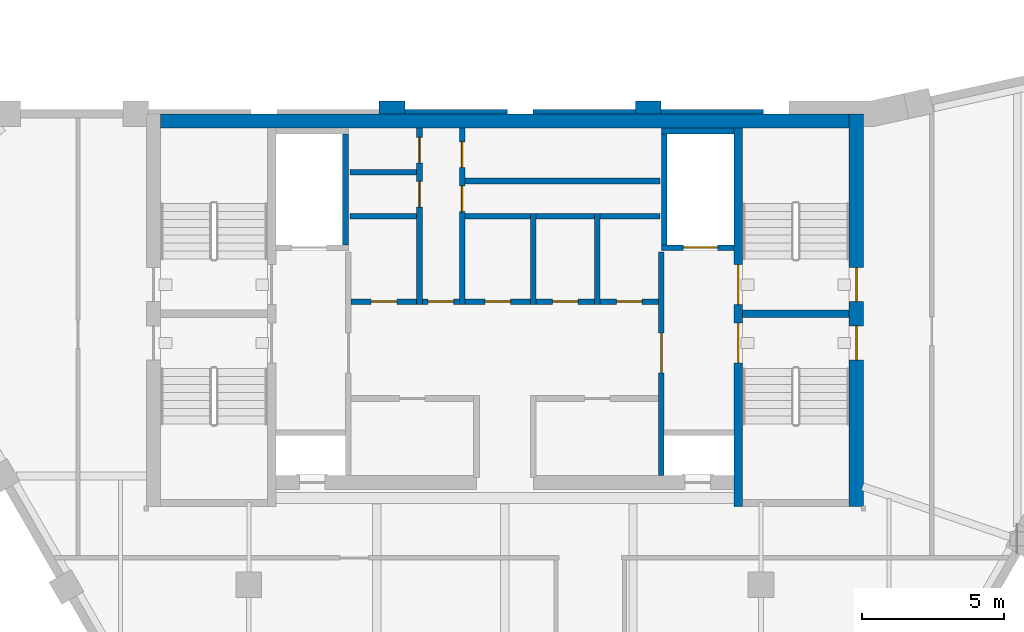
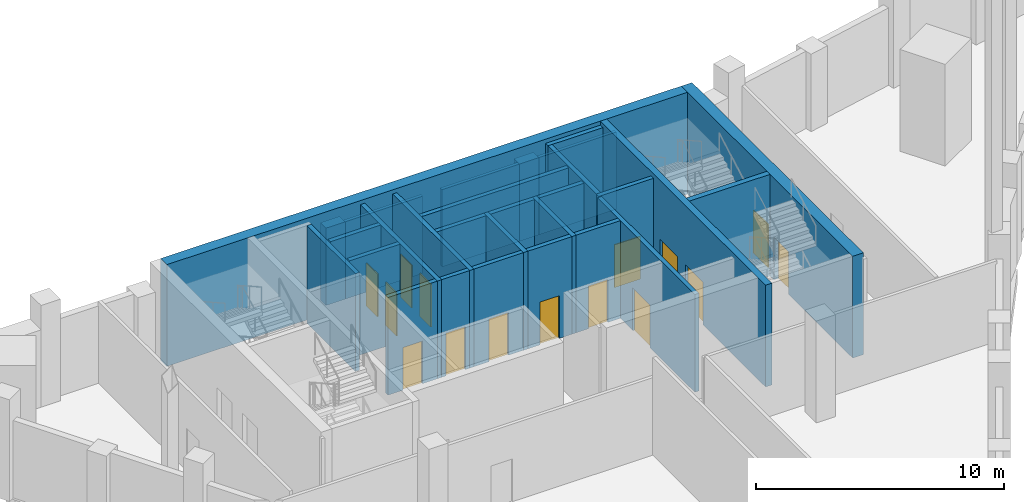
# One storey, part 6 of 11: 29 walls, 15 doors, 15 openings.
"""IFC4 building model written with IfcOpenShell, lengths in metres."""

from ifc_helpers import new_model, si_unit, direction, frame, frame_2d, origin, place, context, subcontext, project, spatial, polyline, rectangle, outline, extrude, material, layer, layer_set, type_object, element, fill, save


model = new_model("IFC4")

# Units and contexts
model_context = context("Model", 3, precision=1e-05, world=origin(), true_north=direction((0.0, 1.0)))
body_context = subcontext(model_context, "Body", "Model", "MODEL_VIEW")
ifc_project = project(units=[si_unit("LENGTHUNIT", "METRE"), si_unit("AREAUNIT", "SQUARE_METRE"), si_unit("VOLUMEUNIT", "CUBIC_METRE"), si_unit("PLANEANGLEUNIT", "RADIAN"), si_unit("MASSUNIT", "GRAM", prefix="KILO")], contexts=[model_context])

# Site, building, storey
site_placement = place(None, origin())
site = spatial("IfcSite", under=ifc_project, at=site_placement, CompositionType="ELEMENT")
building_placement = place(site_placement, origin())
building = spatial("IfcBuilding", under=site, at=building_placement, Name="Calabash Gate Tower", CompositionType="ELEMENT")
storey_placement = place(building_placement, frame((0.0, 0.0, 310.5)))
storey = spatial("IfcBuildingStorey", under=building, at=storey_placement, Name="L73", CompositionType="ELEMENT", Elevation=310.5)

# Walls
ifc_material_1 = material(Name="Terracotta brick masonry, exposed face", Category="masonry")
ifc_layer_1 = layer(ifc_material_1, 0.89990234375)
ifc_layer_set_1 = layer_set([ifc_layer_1], Name="Brick end wall 900")
wall_type_1 = type_object("IfcWallType", Name="Brick end wall 900", PredefinedType="SOLIDWALL", material=ifc_layer_set_1)
wall_1_placement = place(storey_placement, origin())
element("IfcWall", 1, at=wall_1_placement, inside=storey, type_object=wall_type_1, Name="Brick pier L73 crown7.1", PredefinedType="SOLIDWALL", context=body_context, shape_type="SweptSolid", body=[
    extrude(outline(polyline([(4.584228515625, 19.50244140625), (4.584228515625, 19.052490234375), (5.484375, 19.052490234375), (5.484375, 19.50244140625), (4.584228515625, 19.50244140625)])), origin(), (0.0, 0.0, 1.0), 3.800048828125),
])
wall_2_placement = place(storey_placement, origin())
element("IfcWall", 2, at=wall_2_placement, inside=storey, type_object=wall_type_1, Name="Brick pier L73 crown7.3", PredefinedType="SOLIDWALL", context=body_context, shape_type="SweptSolid", body=[
    extrude(outline(polyline([(-4.415771484375, 19.50244140625), (-4.415771484375, 19.052490234375), (-3.515625, 19.052490234375), (-3.515625, 19.50244140625), (-4.415771484375, 19.50244140625)])), origin(), (0.0, 0.0, 1.0), 3.800048828125),
])

# Wall, opening, door
ifc_material_2 = material(Name="Gypsum board on steel studs, mineral wool", Category="steel")
ifc_layer_2 = layer(ifc_material_2, 0.199951171875)
ifc_layer_set_2 = layer_set([ifc_layer_2], Name="Core partition 200 gypsum board")
wall_type_2 = type_object("IfcWallType", Name="Core partition 200 gypsum board", PredefinedType="PARTITIONING", material=ifc_layer_set_2)
wall_3_placement = place(storey_placement, frame((-5.39990234375, 12.45263671875, 0.0), z_axis=(0.0, 0.0, 1.0), x_axis=(1.0, 0.0, 0.0)))
wall_3 = element("IfcWall", 3, at=wall_3_placement, inside=storey, type_object=wall_type_2, Name="Core partition", PredefinedType="PARTITIONING", context=body_context, shape_type="SweptSolid", body=[
    extrude(rectangle(XDim=2.2998046875, YDim=0.199951171875, at=frame_2d((1.14990234375, 0.0))), origin(), (0.0, 0.0, 1.0), 4.800048828125),
])
opening_1_placement = place(wall_3_placement, frame((0.699951171875, 0.0, 0.0)))
opening_1 = element("IfcOpeningElement", 4, at=opening_1_placement, cuts=wall_3, Name="Opening L73-020", PredefinedType="OPENING", context=body_context, shape_type="SweptSolid", body=[
    extrude(rectangle(XDim=0.89990234375, YDim=2.10009765625, at=frame_2d((0.449951171875, 1.050048828125))), frame((0.0, 0.10986328125, 0.0), z_axis=(0.0, -1.0, 0.0), x_axis=(1.0, 0.0, 0.0)), (0.0, 0.0, 1.0), 0.219970703125),
])
ifc_material_3 = material(Name="Steel fire door set with fire-resisting glazing", Category="steel")
door_type_1 = type_object("IfcDoorType", Name="Fire door D06 900x2100 FD60", OperationType="NOTDEFINED", PredefinedType="DOOR", material=ifc_material_3)
door_1_placement = place(opening_1_placement, origin())
door_1 = element("IfcDoor", 5, at=door_1_placement, inside=storey, type_object=door_type_1, Name="Mechanical Fan Room door", OperationType="SINGLE_SWING_RIGHT", OverallHeight=2.10009765625, OverallWidth=0.89990234375, PredefinedType="DOOR", context=body_context, shape_type="SweptSolid", body=[
    extrude(rectangle(XDim=0.89990234375, YDim=2.10009765625, at=frame_2d((0.449951171875, 1.050048828125))), frame((0.0, 0.02490234375, 0.0), z_axis=(0.0, -1.0, 0.0), x_axis=(1.0, 0.0, 0.0)), (0.0, 0.0, 1.0), 0.050048828125),
])
fill(opening_1, door_1)

# Wall, openings, doors
wall_4_placement = place(storey_placement, frame((-3.0, 12.3525390625, 0.0), z_axis=(0.0, 0.0, 1.0), x_axis=(0.0, 1.0, 0.0)))
wall_4 = element("IfcWall", 6, at=wall_4_placement, inside=storey, type_object=wall_type_2, Name="Core partition", PredefinedType="PARTITIONING", context=body_context, shape_type="SweptSolid", body=[
    extrude(rectangle(XDim=6.199951171875, YDim=0.199951171875, at=frame_2d((3.10009765625, 0.0))), origin(), (0.0, 0.0, 1.0), 4.800048828125),
])
opening_2_placement = place(wall_4_placement, frame((3.425048828125, 0.0, 0.0)))
opening_2 = element("IfcOpeningElement", 7, at=opening_2_placement, cuts=wall_4, Name="Opening L73-012", PredefinedType="OPENING", context=body_context, shape_type="SweptSolid", body=[
    extrude(rectangle(XDim=0.89990234375, YDim=2.10009765625, at=frame_2d((0.449951171875, 1.050048828125))), frame((0.0, 0.10986328125, 0.0), z_axis=(0.0, -1.0, 0.0), x_axis=(1.0, 0.0, 0.0)), (0.0, 0.0, 1.0), 0.219970703125),
])
opening_3_placement = place(wall_4_placement, frame((4.97509765625, 0.0, 0.0)))
opening_3 = element("IfcOpeningElement", 8, at=opening_3_placement, cuts=wall_4, Name="Opening L73-013", PredefinedType="OPENING", context=body_context, shape_type="SweptSolid", body=[
    extrude(rectangle(XDim=0.89990234375, YDim=2.10009765625, at=frame_2d((0.449951171875, 1.050048828125))), frame((0.0, 0.10986328125, 0.0), z_axis=(0.0, -1.0, 0.0), x_axis=(1.0, 0.0, 0.0)), (0.0, 0.0, 1.0), 0.219970703125),
])
door_2_placement = place(opening_2_placement, origin())
door_2 = element("IfcDoor", 9, at=door_2_placement, inside=storey, type_object=door_type_1, Name="Plant UPS Room door", OperationType="SINGLE_SWING_LEFT", OverallHeight=2.10009765625, OverallWidth=0.89990234375, PredefinedType="DOOR", context=body_context, shape_type="SweptSolid", body=[
    extrude(rectangle(XDim=0.89990234375, YDim=2.10009765625, at=frame_2d((0.449951171875, 1.050048828125))), frame((0.0, 0.02490234375, 0.0), z_axis=(0.0, -1.0, 0.0), x_axis=(1.0, 0.0, 0.0)), (0.0, 0.0, 1.0), 0.050048828125),
])
fill(opening_2, door_2)
door_3_placement = place(opening_3_placement, origin())
door_3 = element("IfcDoor", 10, at=door_3_placement, inside=storey, type_object=door_type_1, Name="Water Tank Room door", OperationType="SINGLE_SWING_LEFT", OverallHeight=2.10009765625, OverallWidth=0.89990234375, PredefinedType="DOOR", context=body_context, shape_type="SweptSolid", body=[
    extrude(rectangle(XDim=0.89990234375, YDim=2.10009765625, at=frame_2d((0.449951171875, 1.050048828125))), frame((0.0, 0.02490234375, 0.0), z_axis=(0.0, -1.0, 0.0), x_axis=(1.0, 0.0, 0.0)), (0.0, 0.0, 1.0), 0.050048828125),
])
fill(opening_3, door_3)

# Wall, opening, door
wall_5_placement = place(storey_placement, frame((-2.89990234375, 12.45263671875, 0.0), z_axis=(0.0, 0.0, 1.0), x_axis=(1.0, 0.0, 0.0)))
wall_5 = element("IfcWall", 11, at=wall_5_placement, inside=storey, type_object=wall_type_2, Name="Core partition", PredefinedType="PARTITIONING", context=body_context, shape_type="SweptSolid", body=[
    extrude(rectangle(XDim=1.2998046875, YDim=0.199951171875, at=frame_2d((0.64990234375, 0.0))), origin(), (0.0, 0.0, 1.0), 4.800048828125),
])
opening_4_placement = place(wall_5_placement, frame((0.199951171875, 0.0, 0.0)))
opening_4 = element("IfcOpeningElement", 12, at=opening_4_placement, cuts=wall_5, Name="Opening L73-009", PredefinedType="OPENING", context=body_context, shape_type="SweptSolid", body=[
    extrude(rectangle(XDim=0.89990234375, YDim=2.10009765625, at=frame_2d((0.449951171875, 1.050048828125))), frame((0.0, 0.10986328125, 0.0), z_axis=(0.0, -1.0, 0.0), x_axis=(1.0, 0.0, 0.0)), (0.0, 0.0, 1.0), 0.219970703125),
])
door_4_placement = place(opening_4_placement, origin())
door_4 = element("IfcDoor", 13, at=door_4_placement, inside=storey, type_object=door_type_1, Name="Service Corridor door", OperationType="SINGLE_SWING_RIGHT", OverallHeight=2.10009765625, OverallWidth=0.89990234375, PredefinedType="DOOR", context=body_context, shape_type="SweptSolid", body=[
    extrude(rectangle(XDim=0.89990234375, YDim=2.10009765625, at=frame_2d((0.449951171875, 1.050048828125))), frame((0.0, 0.02490234375, 0.0), z_axis=(0.0, -1.0, 0.0), x_axis=(1.0, 0.0, 0.0)), (0.0, 0.0, 1.0), 0.050048828125),
])
fill(opening_4, door_4)

# Wall, openings, doors
wall_6_placement = place(storey_placement, frame((-1.5, 12.3525390625, 0.0), z_axis=(0.0, 0.0, 1.0), x_axis=(0.0, 1.0, 0.0)))
wall_6 = element("IfcWall", 14, at=wall_6_placement, inside=storey, type_object=wall_type_2, Name="Core partition", PredefinedType="PARTITIONING", context=body_context, shape_type="SweptSolid", body=[
    extrude(rectangle(XDim=6.199951171875, YDim=0.199951171875, at=frame_2d((3.10009765625, 0.0))), origin(), (0.0, 0.0, 1.0), 4.800048828125),
])
opening_5_placement = place(wall_6_placement, frame((3.27001953125, 0.0, 0.0)))
opening_5 = element("IfcOpeningElement", 15, at=opening_5_placement, cuts=wall_6, Name="Opening L73-014", PredefinedType="OPENING", context=body_context, shape_type="SweptSolid", body=[
    extrude(rectangle(XDim=0.89990234375, YDim=2.10009765625, at=frame_2d((0.449951171875, 1.050048828125))), frame((0.0, 0.10986328125, 0.0), z_axis=(0.0, -1.0, 0.0), x_axis=(1.0, 0.0, 0.0)), (0.0, 0.0, 1.0), 0.219970703125),
])
opening_6_placement = place(wall_6_placement, frame((4.820068359375, 0.0, 0.0)))
opening_6 = element("IfcOpeningElement", 16, at=opening_6_placement, cuts=wall_6, Name="Opening L73-015", PredefinedType="OPENING", context=body_context, shape_type="SweptSolid", body=[
    extrude(rectangle(XDim=0.89990234375, YDim=2.10009765625, at=frame_2d((0.449951171875, 1.050048828125))), frame((0.0, 0.10986328125, 0.0), z_axis=(0.0, -1.0, 0.0), x_axis=(1.0, 0.0, 0.0)), (0.0, 0.0, 1.0), 0.219970703125),
])
door_5_placement = place(opening_5_placement, origin())
door_5 = element("IfcDoor", 17, at=door_5_placement, inside=storey, type_object=door_type_1, Name="Electrical Switch Room door", OperationType="SINGLE_SWING_LEFT", OverallHeight=2.10009765625, OverallWidth=0.89990234375, PredefinedType="DOOR", context=body_context, shape_type="SweptSolid", body=[
    extrude(rectangle(XDim=0.89990234375, YDim=2.10009765625, at=frame_2d((0.449951171875, 1.050048828125))), frame((0.0, 0.02490234375, 0.0), z_axis=(0.0, -1.0, 0.0), x_axis=(1.0, 0.0, 0.0)), (0.0, 0.0, 1.0), 0.050048828125),
])
fill(opening_5, door_5)
door_6_placement = place(opening_6_placement, origin())
door_6 = element("IfcDoor", 18, at=door_6_placement, inside=storey, type_object=door_type_1, Name="HV Transformer Room door", OperationType="SINGLE_SWING_LEFT", OverallHeight=2.10009765625, OverallWidth=0.89990234375, PredefinedType="DOOR", context=body_context, shape_type="SweptSolid", body=[
    extrude(rectangle(XDim=0.89990234375, YDim=2.10009765625, at=frame_2d((0.449951171875, 1.050048828125))), frame((0.0, 0.02490234375, 0.0), z_axis=(0.0, -1.0, 0.0), x_axis=(1.0, 0.0, 0.0)), (0.0, 0.0, 1.0), 0.050048828125),
])
fill(opening_6, door_6)

# Wall, opening, door
wall_7_placement = place(storey_placement, frame((-1.39990234375, 12.45263671875, 0.0), z_axis=(0.0, 0.0, 1.0), x_axis=(1.0, 0.0, 0.0)))
wall_7 = element("IfcWall", 19, at=wall_7_placement, inside=storey, type_object=wall_type_2, Name="Core partition", PredefinedType="PARTITIONING", context=body_context, shape_type="SweptSolid", body=[
    extrude(rectangle(XDim=2.2998046875, YDim=0.199951171875, at=frame_2d((1.14990234375, 0.0))), origin(), (0.0, 0.0, 1.0), 4.800048828125),
])
opening_7_placement = place(wall_7_placement, frame((0.699951171875, 0.0, 0.0)))
opening_7 = element("IfcOpeningElement", 20, at=opening_7_placement, cuts=wall_7, Name="Opening L73-021", PredefinedType="OPENING", context=body_context, shape_type="SweptSolid", body=[
    extrude(rectangle(XDim=0.89990234375, YDim=2.10009765625, at=frame_2d((0.449951171875, 1.050048828125))), frame((0.0, 0.10986328125, 0.0), z_axis=(0.0, -1.0, 0.0), x_axis=(1.0, 0.0, 0.0)), (0.0, 0.0, 1.0), 0.219970703125),
])
door_7_placement = place(opening_7_placement, origin())
door_7 = element("IfcDoor", 21, at=door_7_placement, inside=storey, type_object=door_type_1, Name="Plant BMS Room door", OperationType="SINGLE_SWING_RIGHT", OverallHeight=2.10009765625, OverallWidth=0.89990234375, PredefinedType="DOOR", context=body_context, shape_type="SweptSolid", body=[
    extrude(rectangle(XDim=0.89990234375, YDim=2.10009765625, at=frame_2d((0.449951171875, 1.050048828125))), frame((0.0, 0.02490234375, 0.0), z_axis=(0.0, -1.0, 0.0), x_axis=(1.0, 0.0, 0.0)), (0.0, 0.0, 1.0), 0.050048828125),
])
fill(opening_7, door_7)

# Wall
wall_8_placement = place(storey_placement, frame((1.0, 12.3525390625, 0.0), z_axis=(0.0, 0.0, 1.0), x_axis=(0.0, 1.0, 0.0)))
element("IfcWall", 22, at=wall_8_placement, inside=storey, type_object=wall_type_2, Name="Core partition", PredefinedType="PARTITIONING", context=body_context, shape_type="SweptSolid", body=[
    extrude(rectangle(XDim=3.199951171875, YDim=0.199951171875, at=frame_2d((1.60009765625, 0.0))), origin(), (0.0, 0.0, 1.0), 4.800048828125),
])

# Wall, opening, door
wall_9_placement = place(storey_placement, frame((1.10009765625, 12.45263671875, 0.0), z_axis=(0.0, 0.0, 1.0), x_axis=(1.0, 0.0, 0.0)))
wall_9 = element("IfcWall", 23, at=wall_9_placement, inside=storey, type_object=wall_type_2, Name="Core partition", PredefinedType="PARTITIONING", context=body_context, shape_type="SweptSolid", body=[
    extrude(rectangle(XDim=2.0498046875, YDim=0.199951171875, at=frame_2d((1.02490234375, 0.0))), origin(), (0.0, 0.0, 1.0), 4.800048828125),
])
opening_8_placement = place(wall_9_placement, frame((0.574951171875, 0.0, 0.0)))
opening_8 = element("IfcOpeningElement", 24, at=opening_8_placement, cuts=wall_9, Name="Opening L73-018", PredefinedType="OPENING", context=body_context, shape_type="SweptSolid", body=[
    extrude(rectangle(XDim=0.89990234375, YDim=2.10009765625, at=frame_2d((0.449951171875, 1.050048828125))), frame((0.0, 0.10986328125, 0.0), z_axis=(0.0, -1.0, 0.0), x_axis=(1.0, 0.0, 0.0)), (0.0, 0.0, 1.0), 0.219970703125),
])
door_8_placement = place(opening_8_placement, origin())
door_8 = element("IfcDoor", 25, at=door_8_placement, inside=storey, type_object=door_type_1, Name="Plant Control Room door", OperationType="SINGLE_SWING_RIGHT", OverallHeight=2.10009765625, OverallWidth=0.89990234375, PredefinedType="DOOR", context=body_context, shape_type="SweptSolid", body=[
    extrude(rectangle(XDim=0.89990234375, YDim=2.10009765625, at=frame_2d((0.449951171875, 1.050048828125))), frame((0.0, 0.02490234375, 0.0), z_axis=(0.0, -1.0, 0.0), x_axis=(1.0, 0.0, 0.0)), (0.0, 0.0, 1.0), 0.050048828125),
])
fill(opening_8, door_8)

# Wall
wall_10_placement = place(storey_placement, frame((3.25, 12.3525390625, 0.0), z_axis=(0.0, 0.0, 1.0), x_axis=(0.0, 1.0, 0.0)))
element("IfcWall", 26, at=wall_10_placement, inside=storey, type_object=wall_type_2, Name="Core partition", PredefinedType="PARTITIONING", context=body_context, shape_type="SweptSolid", body=[
    extrude(rectangle(XDim=3.199951171875, YDim=0.199951171875, at=frame_2d((1.60009765625, 0.0))), origin(), (0.0, 0.0, 1.0), 4.800048828125),
])

# Wall, opening, door
wall_11_placement = place(storey_placement, frame((3.35009765625, 12.45263671875, 0.0), z_axis=(0.0, 0.0, 1.0), x_axis=(1.0, 0.0, 0.0)))
wall_11 = element("IfcWall", 27, at=wall_11_placement, inside=storey, type_object=wall_type_2, Name="Core partition", PredefinedType="PARTITIONING", context=body_context, shape_type="SweptSolid", body=[
    extrude(rectangle(XDim=2.0498046875, YDim=0.199951171875, at=frame_2d((1.02490234375, 0.0))), origin(), (0.0, 0.0, 1.0), 4.800048828125),
])
opening_9_placement = place(wall_11_placement, frame((0.574951171875, 0.0, 0.0)))
opening_9 = element("IfcOpeningElement", 28, at=opening_9_placement, cuts=wall_11, Name="Opening L73-019", PredefinedType="OPENING", context=body_context, shape_type="SweptSolid", body=[
    extrude(rectangle(XDim=0.89990234375, YDim=2.10009765625, at=frame_2d((0.449951171875, 1.050048828125))), frame((0.0, 0.10986328125, 0.0), z_axis=(0.0, -1.0, 0.0), x_axis=(1.0, 0.0, 0.0)), (0.0, 0.0, 1.0), 0.219970703125),
])
door_9_placement = place(opening_9_placement, origin())
door_9 = element("IfcDoor", 29, at=door_9_placement, inside=storey, type_object=door_type_1, Name="Plant Spares Store door", OperationType="SINGLE_SWING_LEFT", OverallHeight=2.10009765625, OverallWidth=0.89990234375, PredefinedType="DOOR", context=body_context, shape_type="SweptSolid", body=[
    extrude(rectangle(XDim=0.89990234375, YDim=2.10009765625, at=frame_2d((0.449951171875, 1.050048828125))), frame((0.0, 0.02490234375, 0.0), z_axis=(0.0, -1.0, 0.0), x_axis=(1.0, 0.0, 0.0)), (0.0, 0.0, 1.0), 0.050048828125),
])
fill(opening_9, door_9)

# Walls
wall_12_placement = place(storey_placement, frame((-1.39990234375, 15.45263671875, 0.0), z_axis=(0.0, 0.0, 1.0), x_axis=(1.0, 0.0, 0.0)))
element("IfcWall", 30, at=wall_12_placement, inside=storey, type_object=wall_type_2, Name="Core partition", PredefinedType="PARTITIONING", context=body_context, shape_type="SweptSolid", body=[
    extrude(rectangle(XDim=2.2998046875, YDim=0.199951171875, at=frame_2d((1.14990234375, 0.0))), origin(), (0.0, 0.0, 1.0), 4.800048828125),
])
wall_13_placement = place(storey_placement, frame((1.10009765625, 15.45263671875, 0.0), z_axis=(0.0, 0.0, 1.0), x_axis=(1.0, 0.0, 0.0)))
element("IfcWall", 31, at=wall_13_placement, inside=storey, type_object=wall_type_2, Name="Core partition", PredefinedType="PARTITIONING", context=body_context, shape_type="SweptSolid", body=[
    extrude(rectangle(XDim=2.0498046875, YDim=0.199951171875, at=frame_2d((1.02490234375, 0.0))), origin(), (0.0, 0.0, 1.0), 4.800048828125),
])
ifc_material_4 = material(Name="Concrete C60/75", Category="concrete")
ifc_layer_3 = layer(ifc_material_4, 0.25)
ifc_layer_set_3 = layer_set([ifc_layer_3], Name="Core wall 250 Concrete C60/75")
wall_type_3 = type_object("IfcWallType", Name="Core wall 250 Concrete C60/75", PredefinedType="SHEAR", material=ifc_layer_set_3)
wall_14_placement = place(storey_placement, frame((8.35009765625, 12.027587890625, 0.0), z_axis=(0.0, 0.0, 1.0), x_axis=(1.0, 0.0, 0.0)))
element("IfcWall", 32, at=wall_14_placement, inside=storey, type_object=wall_type_3, Name="Core wall C-MIDE L73", PredefinedType="SHEAR", context=body_context, shape_type="SweptSolid", body=[
    extrude(rectangle(XDim=3.75, YDim=0.25, at=frame_2d((1.875, 0.0))), origin(), (0.0, 0.0, 1.0), 5.0),
])

# Wall, openings, doors
ifc_material_5 = material(Name="Concrete C60/75", Category="concrete")
ifc_layer_4 = layer(ifc_material_5, 0.300048828125)
ifc_layer_set_4 = layer_set([ifc_layer_4], Name="Core wall 300 Concrete C60/75")
wall_type_4 = type_object("IfcWallType", Name="Core wall 300 Concrete C60/75", PredefinedType="SHEAR", material=ifc_layer_set_4)
wall_15_placement = place(storey_placement, frame((8.199951171875, 5.252685546875, 0.0), z_axis=(0.0, 0.0, 1.0), x_axis=(0.0, 1.0, 0.0)))
wall_15 = element("IfcWall", 33, at=wall_15_placement, inside=storey, type_object=wall_type_4, Name="Core wall C-PARTE L73", PredefinedType="SHEAR", context=body_context, shape_type="SweptSolid", body=[
    extrude(rectangle(XDim=13.2998046875, YDim=0.300048828125, at=frame_2d((6.64990234375, 0.0))), origin(), (0.0, 0.0, 1.0), 5.0),
])
opening_10_placement = place(wall_15_placement, frame((7.10009765625, 0.0, 0.0)))
opening_10 = element("IfcOpeningElement", 34, at=opening_10_placement, cuts=wall_15, Name="Opening L73-003", PredefinedType="OPENING", context=body_context, shape_type="SweptSolid", body=[
    extrude(rectangle(XDim=1.39990234375, YDim=2.10009765625, at=frame_2d((0.699951171875, 1.050048828125))), frame((0.0, 0.159912109375, 0.0), z_axis=(0.0, -1.0, 0.0), x_axis=(1.0, 0.0, 0.0)), (0.0, 0.0, 1.0), 0.320068359375),
])
opening_11_placement = place(wall_15_placement, frame((5.050048828125, 0.0, 0.0)))
opening_11 = element("IfcOpeningElement", 35, at=opening_11_placement, cuts=wall_15, Name="Opening L73-004", PredefinedType="OPENING", context=body_context, shape_type="SweptSolid", body=[
    extrude(rectangle(XDim=1.39990234375, YDim=2.10009765625, at=frame_2d((0.699951171875, 1.050048828125))), frame((0.0, 0.159912109375, 0.0), z_axis=(0.0, -1.0, 0.0), x_axis=(1.0, 0.0, 0.0)), (0.0, 0.0, 1.0), 0.320068359375),
])
ifc_material_6 = material(Name="Steel fire door set with fire-resisting glazing", Category="steel")
door_type_2 = type_object("IfcDoorType", Name="Fire door D05 1400x2100 FD90", OperationType="NOTDEFINED", PredefinedType="DOOR", material=ifc_material_6)
door_10_placement = place(opening_10_placement, origin())
door_10 = element("IfcDoor", 36, at=door_10_placement, inside=storey, type_object=door_type_2, Name="Exit stair door ST3", OperationType="SINGLE_SWING_RIGHT", OverallHeight=2.10009765625, OverallWidth=1.39990234375, PredefinedType="DOOR", context=body_context, shape_type="SweptSolid", body=[
    extrude(rectangle(XDim=1.39990234375, YDim=2.10009765625, at=frame_2d((0.699951171875, 1.050048828125))), frame((0.0, 0.02490234375, 0.0), z_axis=(0.0, -1.0, 0.0), x_axis=(1.0, 0.0, 0.0)), (0.0, 0.0, 1.0), 0.050048828125),
])
fill(opening_10, door_10)
door_11_placement = place(opening_11_placement, origin())
door_11 = element("IfcDoor", 37, at=door_11_placement, inside=storey, type_object=door_type_2, Name="Exit stair door ST4", OperationType="SINGLE_SWING_LEFT", OverallHeight=2.10009765625, OverallWidth=1.39990234375, PredefinedType="DOOR", context=body_context, shape_type="SweptSolid", body=[
    extrude(rectangle(XDim=1.39990234375, YDim=2.10009765625, at=frame_2d((0.699951171875, 1.050048828125))), frame((0.0, 0.02490234375, 0.0), z_axis=(0.0, -1.0, 0.0), x_axis=(1.0, 0.0, 0.0)), (0.0, 0.0, 1.0), 0.050048828125),
])
fill(opening_11, door_11)

# Wall
ifc_material_7 = material(Name="Concrete C60/75", Category="concrete")
ifc_layer_5 = layer(ifc_material_7, 0.5)
ifc_layer_set_5 = layer_set([ifc_layer_5], Name="Core wall 500 Concrete C60/75")
wall_type_5 = type_object("IfcWallType", Name="Core wall 500 Concrete C60/75", PredefinedType="SHEAR", material=ifc_layer_set_5)
wall_16_placement = place(storey_placement, frame((-12.10009765625, 18.802490234375, 0.0), z_axis=(0.0, 0.0, 1.0), x_axis=(1.0, 0.0, 0.0)))
element("IfcWall", 38, at=wall_16_placement, inside=storey, type_object=wall_type_5, Name="Core wall C-N L73", PredefinedType="SHEAR", context=body_context, shape_type="SweptSolid", body=[
    extrude(rectangle(XDim=24.2001953125, YDim=0.5, at=frame_2d((12.10009765625, 0.0))), origin(), (0.0, 0.0, 1.0), 5.0),
])

# Wall, openings, doors
wall_17_placement = place(storey_placement, frame((12.35009765625, 5.252685546875, 0.0), z_axis=(0.0, 0.0, 1.0), x_axis=(0.0, 1.0, 0.0)))
wall_17 = element("IfcWall", 39, at=wall_17_placement, inside=storey, type_object=wall_type_5, Name="Core wall C-COLE L73", PredefinedType="SHEAR", context=body_context, shape_type="SweptSolid", body=[
    extrude(rectangle(XDim=13.7998046875, YDim=0.5, at=frame_2d((6.89990234375, 0.0))), origin(), (0.0, 0.0, 1.0), 5.0),
])
opening_12_placement = place(wall_17_placement, frame((7.199951171875, 0.0, 0.0)))
opening_12 = element("IfcOpeningElement", 40, at=opening_12_placement, cuts=wall_17, Name="Opening L73-007", PredefinedType="OPENING", context=body_context, shape_type="SweptSolid", body=[
    extrude(rectangle(XDim=1.199951171875, YDim=2.10009765625, at=frame_2d((0.60009765625, 1.050048828125))), frame((0.0, 0.260009765625, 0.0), z_axis=(0.0, -1.0, 0.0), x_axis=(1.0, 0.0, 0.0)), (0.0, 0.0, 1.0), 0.52001953125),
])
opening_13_placement = place(wall_17_placement, frame((5.14990234375, 0.0, 0.0)))
opening_13 = element("IfcOpeningElement", 41, at=opening_13_placement, cuts=wall_17, Name="Opening L73-008", PredefinedType="OPENING", context=body_context, shape_type="SweptSolid", body=[
    extrude(rectangle(XDim=1.199951171875, YDim=2.10009765625, at=frame_2d((0.60009765625, 1.050048828125))), frame((0.0, 0.260009765625, 0.0), z_axis=(0.0, -1.0, 0.0), x_axis=(1.0, 0.0, 0.0)), (0.0, 0.0, 1.0), 0.52001953125),
])
ifc_material_8 = material(Name="Steel fire door set with fire-resisting glazing", Category="steel")
door_type_3 = type_object("IfcDoorType", Name="Fire door D10 1200x2100 FD90", OperationType="NOTDEFINED", PredefinedType="DOOR", material=ifc_material_8)
door_12_placement = place(opening_12_placement, origin())
door_12 = element("IfcDoor", 42, at=door_12_placement, inside=storey, type_object=door_type_3, Name="Exit stair door ST3", OperationType="SINGLE_SWING_RIGHT", OverallHeight=2.10009765625, OverallWidth=1.199951171875, PredefinedType="DOOR", context=body_context, shape_type="SweptSolid", body=[
    extrude(rectangle(XDim=1.199951171875, YDim=2.10009765625, at=frame_2d((0.60009765625, 1.050048828125))), frame((0.0, 0.02490234375, 0.0), z_axis=(0.0, -1.0, 0.0), x_axis=(1.0, 0.0, 0.0)), (0.0, 0.0, 1.0), 0.050048828125),
])
fill(opening_12, door_12)
door_13_placement = place(opening_13_placement, origin())
door_13 = element("IfcDoor", 43, at=door_13_placement, inside=storey, type_object=door_type_3, Name="Exit stair door ST4", OperationType="SINGLE_SWING_LEFT", OverallHeight=2.10009765625, OverallWidth=1.199951171875, PredefinedType="DOOR", context=body_context, shape_type="SweptSolid", body=[
    extrude(rectangle(XDim=1.199951171875, YDim=2.10009765625, at=frame_2d((0.60009765625, 1.050048828125))), frame((0.0, 0.02490234375, 0.0), z_axis=(0.0, -1.0, 0.0), x_axis=(1.0, 0.0, 0.0)), (0.0, 0.0, 1.0), 0.050048828125),
])
fill(opening_13, door_13)

# Wall, opening, door
ifc_material_9 = material(Name="Concrete C40/50", Category="concrete")
ifc_layer_6 = layer(ifc_material_9, 0.199951171875)
ifc_layer_set_6 = layer_set([ifc_layer_6], Name="Shaft wall 200 Concrete C40/50")
wall_type_6 = type_object("IfcWallType", Name="Shaft wall 200 Concrete C40/50", PredefinedType="SOLIDWALL", material=ifc_layer_set_6)
wall_18_placement = place(storey_placement, frame((5.5, 6.3525390625, 0.0), z_axis=(0.0, 0.0, 1.0), x_axis=(0.0, 1.0, 0.0)))
wall_18 = element("IfcWall", 44, at=wall_18_placement, inside=storey, type_object=wall_type_6, Name="Shaft wall", PredefinedType="SOLIDWALL", context=body_context, shape_type="SweptSolid", body=[
    extrude(rectangle(XDim=7.85009765625, YDim=0.199951171875, at=frame_2d((3.925048828125, 0.0))), origin(), (0.0, 0.0, 1.0), 4.800048828125),
])
opening_14_placement = place(wall_18_placement, frame((3.60009765625, 0.0, 0.0)))
opening_14 = element("IfcOpeningElement", 45, at=opening_14_placement, cuts=wall_18, Name="Opening L73-011", PredefinedType="OPENING", context=body_context, shape_type="SweptSolid", body=[
    extrude(rectangle(XDim=1.39990234375, YDim=2.10009765625, at=frame_2d((0.699951171875, 1.050048828125))), frame((0.0, 0.10986328125, 0.0), z_axis=(0.0, -1.0, 0.0), x_axis=(1.0, 0.0, 0.0)), (0.0, 0.0, 1.0), 0.219970703125),
])
door_14_placement = place(opening_14_placement, origin())
door_14 = element("IfcDoor", 46, at=door_14_placement, inside=storey, type_object=door_type_2, Name="Firefighting Lobby E door", OperationType="SINGLE_SWING_LEFT", OverallHeight=2.10009765625, OverallWidth=1.39990234375, PredefinedType="DOOR", context=body_context, shape_type="SweptSolid", body=[
    extrude(rectangle(XDim=1.39990234375, YDim=2.10009765625, at=frame_2d((0.699951171875, 1.050048828125))), frame((0.0, 0.02490234375, 0.0), z_axis=(0.0, -1.0, 0.0), x_axis=(1.0, 0.0, 0.0)), (0.0, 0.0, 1.0), 0.050048828125),
])
fill(opening_14, door_14)

wall_19_placement = place(storey_placement, frame((5.5, 14.3525390625, 0.0), z_axis=(0.0, 0.0, 1.0), x_axis=(1.0, 0.0, 0.0)))
wall_19 = element("IfcWall", 47, at=wall_19_placement, inside=storey, type_object=wall_type_6, Name="Shaft wall", PredefinedType="SOLIDWALL", context=body_context, shape_type="SweptSolid", body=[
    extrude(rectangle(XDim=2.550048828125, YDim=0.199951171875, at=frame_2d((1.27490234375, 0.0))), origin(), (0.0, 0.0, 1.0), 4.800048828125),
])
opening_15_placement = place(wall_19_placement, frame((0.77490234375, 0.0, 0.0)))
opening_15 = element("IfcOpeningElement", 48, at=opening_15_placement, cuts=wall_19, Name="Opening LD-FF2", PredefinedType="OPENING", context=body_context, shape_type="SweptSolid", body=[
    extrude(rectangle(XDim=1.199951171875, YDim=2.10009765625, at=frame_2d((0.60009765625, 1.050048828125))), frame((0.0, 0.10986328125, 0.0), z_axis=(0.0, -1.0, 0.0), x_axis=(1.0, 0.0, 0.0)), (0.0, 0.0, 1.0), 0.219970703125),
])
ifc_material_10 = material(Name="Stainless steel sliding door leaves", Category="steel")
door_type_4 = type_object("IfcDoorType", Name="Lift landing door LS3 1200x2100 FD90", OperationType="DOUBLE_DOOR_SLIDING", PredefinedType="DOOR", material=ifc_material_10)
door_15_placement = place(opening_15_placement, origin())
door_15 = element("IfcDoor", 49, at=door_15_placement, inside=storey, type_object=door_type_4, Name="Lift landing door FF2", OperationType="DOUBLE_DOOR_SLIDING", OverallHeight=2.10009765625, OverallWidth=1.199951171875, PredefinedType="DOOR", context=body_context, shape_type="SweptSolid", body=[
    extrude(rectangle(XDim=1.199951171875, YDim=2.10009765625, at=frame_2d((0.60009765625, 1.050048828125))), frame((0.0, 0.02490234375, 0.0), z_axis=(0.0, -1.0, 0.0), x_axis=(1.0, 0.0, 0.0)), (0.0, 0.0, 1.0), 0.050048828125),
])
fill(opening_15, door_15)

# Walls
for number, where, z_axis, x_axis, name in (
    (50, (-5.60009765625, 14.45263671875, 0.0), (0.0, 0.0, 1.0), (0.0, 1.0, 0.0), "Shaft wall"),
    (51, (5.60009765625, 14.45263671875, 0.0), (0.0, 0.0, 1.0), (0.0, 1.0, 0.0), "Shaft wall"),
):
    element("IfcWall", number, at=place(storey_placement, frame(where, z_axis=z_axis, x_axis=x_axis)), inside=storey, type_object=wall_type_6, Name=name, PredefinedType="SOLIDWALL", context=body_context, shape_type="SweptSolid", body=[
        extrude(rectangle(XDim=3.89990234375, YDim=0.199951171875, at=frame_2d((1.949951171875, 0.0))), origin(), (0.0, 0.0, 1.0), 4.800048828125),
    ])
wall_20_placement = place(storey_placement, frame((-5.449951171875, 15.45263671875, 0.0), z_axis=(0.0, 0.0, 1.0), x_axis=(1.0, 0.0, 0.0)))
element("IfcWall", 52, at=wall_20_placement, inside=storey, type_object=wall_type_6, Name="Shaft wall", PredefinedType="SOLIDWALL", context=body_context, shape_type="SweptSolid", body=[
    extrude(rectangle(XDim=2.349853515625, YDim=0.199951171875, at=frame_2d((1.1748046875, 0.0))), origin(), (0.0, 0.0, 1.0), 4.800048828125),
])
wall_21_placement = place(storey_placement, frame((3.35009765625, 15.45263671875, 0.0), z_axis=(0.0, 0.0, 1.0), x_axis=(1.0, 0.0, 0.0)))
element("IfcWall", 53, at=wall_21_placement, inside=storey, type_object=wall_type_6, Name="Shaft wall", PredefinedType="SOLIDWALL", context=body_context, shape_type="SweptSolid", body=[
    extrude(rectangle(XDim=2.099853515625, YDim=0.199951171875, at=frame_2d((1.0498046875, 0.0))), origin(), (0.0, 0.0, 1.0), 4.800048828125),
])
wall_22_placement = place(storey_placement, frame((-1.39990234375, 16.692626953125, 0.0), z_axis=(0.0, 0.0, 1.0), x_axis=(1.0, 0.0, 0.0)))
element("IfcWall", 54, at=wall_22_placement, inside=storey, type_object=wall_type_6, Name="Shaft wall", PredefinedType="SOLIDWALL", context=body_context, shape_type="SweptSolid", body=[
    extrude(rectangle(XDim=6.849853515625, YDim=0.199951171875, at=frame_2d((3.4248046875, 0.0))), origin(), (0.0, 0.0, 1.0), 4.800048828125),
])
wall_23_placement = place(storey_placement, frame((-5.449951171875, 17.002685546875, 0.0), z_axis=(0.0, 0.0, 1.0), x_axis=(1.0, 0.0, 0.0)))
element("IfcWall", 55, at=wall_23_placement, inside=storey, type_object=wall_type_6, Name="Shaft wall", PredefinedType="SOLIDWALL", context=body_context, shape_type="SweptSolid", body=[
    extrude(rectangle(XDim=2.349853515625, YDim=0.199951171875, at=frame_2d((1.1748046875, 0.0))), origin(), (0.0, 0.0, 1.0), 4.800048828125),
])
wall_24_placement = place(storey_placement, frame((5.5, 18.45263671875, 0.0), z_axis=(0.0, 0.0, 1.0), x_axis=(1.0, 0.0, 0.0)))
element("IfcWall", 56, at=wall_24_placement, inside=storey, type_object=wall_type_6, Name="Shaft wall", PredefinedType="SOLIDWALL", context=body_context, shape_type="SweptSolid", body=[
    extrude(rectangle(XDim=2.550048828125, YDim=0.199951171875, at=frame_2d((1.27490234375, 0.0))), origin(), (0.0, 0.0, 1.0), 4.800048828125),
])
ifc_material_11 = material(Name="Terracotta louvre blades in an aluminium frame", Category="masonry")
ifc_layer_7 = layer(ifc_material_11, 0.300048828125)
ifc_layer_set_7 = layer_set([ifc_layer_7], Name="Terracotta louvre wall 300")
wall_type_7 = type_object("IfcWallType", Name="Terracotta louvre wall 300", PredefinedType="ELEMENTEDWALL", material=ifc_layer_set_7)
wall_25_placement = place(storey_placement, origin())
element("IfcWall", 57, at=wall_25_placement, inside=storey, type_object=wall_type_7, Name="LOUVRE L73 crown7.1", PredefinedType="ELEMENTEDWALL", context=body_context, shape_type="SweptSolid", body=[
    extrude(outline(polyline([(9.084228515625, 19.20263671875), (5.484375, 19.20263671875), (5.484375, 19.052490234375), (9.084228515625, 19.052490234375), (9.084228515625, 19.20263671875)])), origin(), (0.0, 0.0, 1.0), 3.800048828125),
])
wall_26_placement = place(storey_placement, origin())
element("IfcWall", 58, at=wall_26_placement, inside=storey, type_object=wall_type_7, Name="LOUVRE L73 crown7.2", PredefinedType="ELEMENTEDWALL", context=body_context, shape_type="SweptSolid", body=[
    extrude(outline(polyline([(4.584228515625, 19.20263671875), (0.984375, 19.20263671875), (0.984375, 19.052490234375), (4.584228515625, 19.052490234375), (4.584228515625, 19.20263671875)])), origin(), (0.0, 0.0, 1.0), 3.800048828125),
])
wall_27_placement = place(storey_placement, origin())
element("IfcWall", 59, at=wall_27_placement, inside=storey, type_object=wall_type_7, Name="LOUVRE L73 crown7.3", PredefinedType="ELEMENTEDWALL", context=body_context, shape_type="SweptSolid", body=[
    extrude(outline(polyline([(0.084228515625, 19.20263671875), (-3.515625, 19.20263671875), (-3.515625, 19.052490234375), (0.084228515625, 19.052490234375), (0.084228515625, 19.20263671875)])), origin(), (0.0, 0.0, 1.0), 3.800048828125),
])

save(model, "model.ifc")
